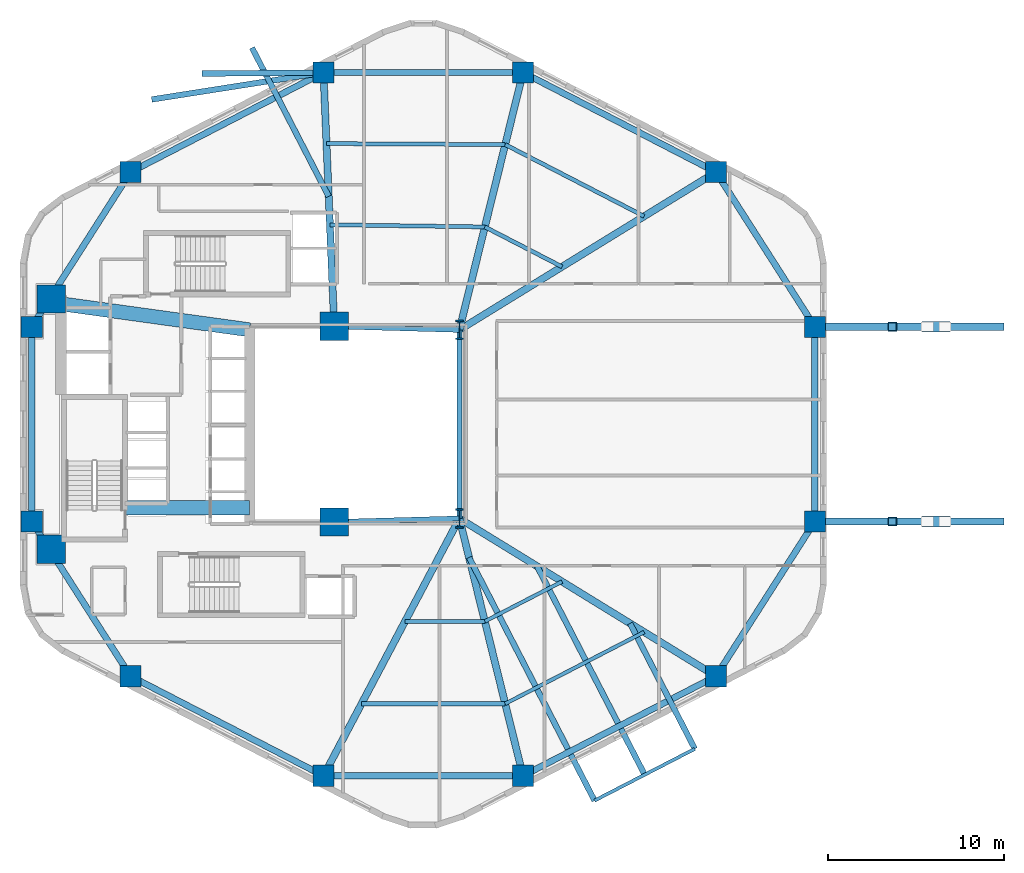
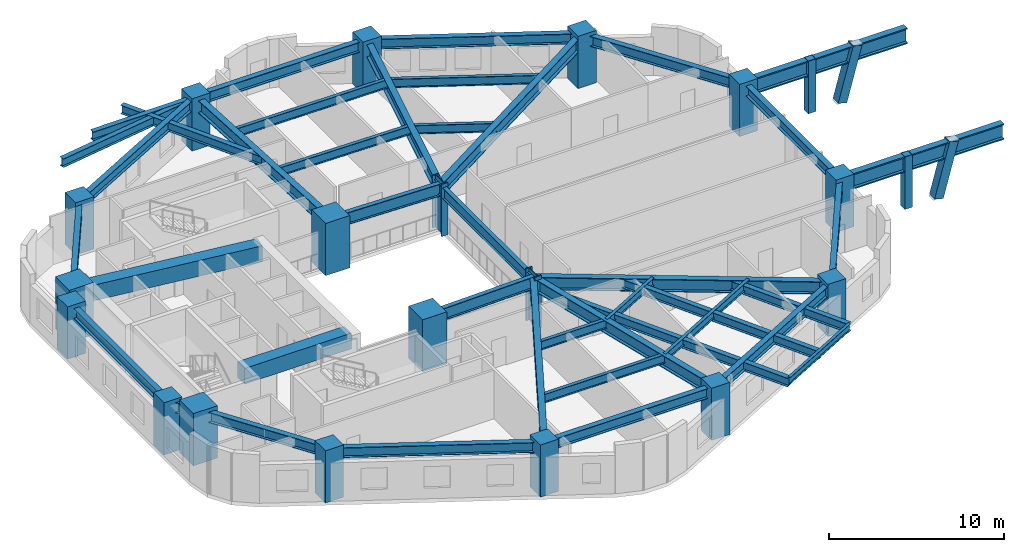
# One storey, part 1 of 7: 40 beams, 18 columns, 4 members.
"""IFC4 building model written with IfcOpenShell, lengths in metres."""

from ifc_helpers import new_model, si_unit, direction, frame, origin, origin_2d, place, context, subcontext, project, spatial, rectangle, hollow_rectangle, i_section, extrude, material, material_profile, profile_set, type_object, element, save


model = new_model("IFC4")

# Units and contexts
model_context = context("Model", 3, precision=1e-05, world=origin(), true_north=direction((0.0, 1.0)))
body_context = subcontext(model_context, "Body", "Model", "MODEL_VIEW")
ifc_project = project(units=[si_unit("LENGTHUNIT", "METRE"), si_unit("AREAUNIT", "SQUARE_METRE"), si_unit("VOLUMEUNIT", "CUBIC_METRE"), si_unit("PLANEANGLEUNIT", "RADIAN"), si_unit("MASSUNIT", "GRAM", prefix="KILO"), si_unit("THERMODYNAMICTEMPERATUREUNIT", "KELVIN"), si_unit("POWERUNIT", "WATT")], contexts=[model_context])

# Site, building, storey
site_placement = place(None, origin())
site = spatial("IfcSite", under=ifc_project, at=site_placement, CompositionType="ELEMENT")
building_placement = place(site_placement, origin())
building = spatial("IfcBuilding", under=site, at=building_placement, Name="Skarre Station Tower", CompositionType="ELEMENT")
storey_placement = place(building_placement, frame((0.0, 0.0, 41.60009765625)))
storey = spatial("IfcBuildingStorey", under=building, at=storey_placement, Name="L10", CompositionType="ELEMENT", Elevation=41.60009765625)

# Columns
ifc_material_1 = material(Name="Concrete C60/75", Category="concrete")
ifc_material_profile_1 = material_profile(ifc_material_1, rectangle(XDim=1.199951171875, YDim=1.199951171875, at=origin_2d()), Name="Concrete C60/75")
ifc_profile_set_1 = profile_set([ifc_material_profile_1], Name="Concrete C60/75")
column_type_1 = type_object("IfcColumnType", Name="RC Structural Column RC-COL-1200X1200", PredefinedType="COLUMN", material=ifc_profile_set_1)
for number, where, z_axis, x_axis, name in (
    (1, (54.007080078125, 38.298095703125, 0.0), (0.0, 0.0, 1.0), (1.0, 0.0, 0.0), "L10 Zone 1 Perimeter Column F0C1"),
    (2, (43.06005859375, 43.947021484375, 0.0), (0.0, 0.0, 1.0), (1.0, 0.0, 0.0), "L10 Zone 1 Perimeter Column F0C2"),
    (3, (31.739990234375, 43.947021484375, 0.0), (0.0, 0.0, 1.0), (1.0, 0.0, 0.0), "L10 Zone 1 Perimeter Column F1C1"),
    (4, (20.79296875, 38.298095703125, 0.0), (0.0, 0.0, 1.0), (1.0, 0.0, 0.0), "L10 Zone 1 Perimeter Column F1C2"),
    (5, (15.18701171875, 29.52099609375, 0.0), (0.0, 0.0, 1.0), (1.0, 0.0, 0.0), "L10 Zone 1 Perimeter Column F2C1"),
    (6, (15.18701171875, 18.47900390625, 0.0), (0.0, 0.0, 1.0), (1.0, 0.0, 0.0), "L10 Zone 1 Perimeter Column F2C2"),
    (7, (20.79296875, 9.701904296875, 0.0), (0.0, 0.0, 1.0), (1.0, 0.0, 0.0), "L10 Zone 1 Perimeter Column F3C1"),
    (8, (31.739990234375, 4.052978515625, 0.0), (0.0, 0.0, 1.0), (1.0, 0.0, 0.0), "L10 Zone 1 Perimeter Column F3C2"),
    (9, (43.06005859375, 4.052978515625, 0.0), (0.0, 0.0, 1.0), (1.0, 0.0, 0.0), "L10 Zone 1 Perimeter Column F4C1"),
    (10, (54.007080078125, 9.701904296875, 0.0), (0.0, 0.0, 1.0), (1.0, 0.0, 0.0), "L10 Zone 1 Perimeter Column F4C2"),
    (11, (59.613037109375, 18.47900390625, 0.0), (0.0, 0.0, 1.0), (1.0, 0.0, 0.0), "L10 Zone 1 Perimeter Column F5C1"),
    (12, (59.613037109375, 29.52099609375, 0.0), (0.0, 0.0, 1.0), (1.0, 0.0, 0.0), "L10 Zone 1 Perimeter Column F5C2"),
):
    element("IfcColumn", number, at=place(storey_placement, frame(where, z_axis=z_axis, x_axis=x_axis)), inside=storey, type_object=column_type_1, Name=name, PredefinedType="COLUMN", context=body_context, shape_type="SweptSolid", body=[
        extrude(rectangle(XDim=1.199951171875, YDim=1.199951171875, at=origin_2d()), origin(), (0.0, 0.0, 1.0), 3.64990234375),
    ])
ifc_material_2 = material(Name="Concrete C70/85", Category="concrete")
ifc_material_profile_2 = material_profile(ifc_material_2, rectangle(XDim=1.60009765625, YDim=1.60009765625, at=origin_2d()), Name="Concrete C70/85")
ifc_profile_set_2 = profile_set([ifc_material_profile_2], Name="Concrete C70/85")
column_type_2 = type_object("IfcColumnType", Name="RC Structural Column RC-COL-1600X1600", PredefinedType="COLUMN", material=ifc_profile_set_2)
for number, where, z_axis, x_axis, name in (
    (13, (16.300048828125, 16.89990234375, 0.0), (0.0, 0.0, 1.0), (1.0, 0.0, 0.0), "L10 Core Column CC-SW"),
    (14, (16.300048828125, 31.10009765625, 0.0), (0.0, 0.0, 1.0), (1.0, 0.0, 0.0), "L10 Core Column CC-NW"),
    (15, (32.35009765625, 18.449951171875, 0.0), (0.0, 0.0, 1.0), (1.0, 0.0, 0.0), "L10 Core Column CC-SE"),
    (16, (32.35009765625, 29.550048828125, 0.0), (0.0, 0.0, 1.0), (1.0, 0.0, 0.0), "L10 Core Column CC-NE"),
):
    element("IfcColumn", number, at=place(storey_placement, frame(where, z_axis=z_axis, x_axis=x_axis)), inside=storey, type_object=column_type_2, Name=name, PredefinedType="COLUMN", context=body_context, shape_type="SweptSolid", body=[
        extrude(rectangle(XDim=1.60009765625, YDim=1.60009765625, at=origin_2d()), origin(), (0.0, 0.0, 1.0), 3.64990234375),
    ])
ifc_material_3 = material(Name="Steel ASTM A913 Grade 65", Category="steel")
ifc_material_profile_3 = material_profile(ifc_material_3, i_section(OverallWidth=0.424072265625, OverallDepth=1.092041015625, WebThickness=0.044921875, FlangeThickness=0.08203125, at=origin_2d()), Name="Steel ASTM A913 Grade 65")
ifc_profile_set_3 = profile_set([ifc_material_profile_3], Name="Steel ASTM A913 Grade 65")
column_type_3 = type_object("IfcColumnType", Name="Steel Column W40X593", PredefinedType="COLUMN", material=ifc_profile_set_3)
for number, where, z_axis, x_axis, name in (
    (17, (39.449951171875, 18.64990234375, 0.0), (0.0, 0.0, 1.0), (1.0, 0.0, 0.0), "L10 Atrium Spine Column AC-SE"),
    (18, (39.449951171875, 29.35009765625, 0.0), (0.0, 0.0, 1.0), (1.0, 0.0, 0.0), "L10 Atrium Spine Column AC-NE"),
):
    element("IfcColumn", number, at=place(storey_placement, frame(where, z_axis=z_axis, x_axis=x_axis)), inside=storey, type_object=column_type_3, Name=name, PredefinedType="COLUMN", context=body_context, shape_type="SweptSolid", body=[
        extrude(i_section(OverallWidth=0.424072265625, OverallDepth=1.092041015625, WebThickness=0.044921875, FlangeThickness=0.08203125, at=origin_2d()), origin(), (0.0, 0.0, 1.0), 3.64990234375),
    ])

# Beams
ifc_material_profile_4 = material_profile(ifc_material_2, rectangle(XDim=0.800048828125, YDim=1.10009765625, at=origin_2d()), Name="Concrete C70/85")
ifc_profile_set_4 = profile_set([ifc_material_profile_4], Name="Concrete C70/85")
beam_type_1 = type_object("IfcBeamType", Name="RC Core Coupling Lintel 800x1100", PredefinedType="LINTEL", material=ifc_profile_set_4)
beam_1_placement = place(storey_placement, frame((20.489990234375, 19.260009765625, 2.83984375), z_axis=(1.0, 0.0, 0.0), x_axis=(0.0, 1.0, 0.0)))
element("IfcBeam", 19, at=beam_1_placement, inside=storey, type_object=beam_type_1, Name="L10 South Core Coupling Lintel", PredefinedType="LINTEL", context=body_context, shape_type="SweptSolid", body=[
    extrude(rectangle(XDim=0.800048828125, YDim=1.10009765625, at=origin_2d()), origin(), (0.0, 0.0, 1.0), 7.06005859375),
])
beam_2_placement = place(storey_placement, frame((17.050048828125, 30.800048828125, 2.83984375), z_axis=(0.990599723633, -0.136792498109, 0.0), x_axis=(0.136792498109, 0.990599723633, 0.0)))
element("IfcBeam", 20, at=beam_2_placement, inside=storey, type_object=beam_type_1, Name="L10 North Core Coupling Lintel", PredefinedType="LINTEL", context=body_context, shape_type="SweptSolid", body=[
    extrude(rectangle(XDim=0.800048828125, YDim=1.10009765625, at=origin_2d()), origin(), (0.0, 0.0, 1.0), 10.599609375),
])
ifc_material_4 = material(Name="Steel ASTM A992 Grade 50", Category="steel")
ifc_material_profile_5 = material_profile(ifc_material_4, i_section(OverallWidth=0.323974609375, OverallDepth=0.611083984375, WebThickness=0.012939453125, FlangeThickness=0.01904296875, at=origin_2d()), Name="Steel ASTM A992 Grade 50")
ifc_profile_set_5 = profile_set([ifc_material_profile_5], Name="Steel ASTM A992 Grade 50")
beam_type_2 = type_object("IfcBeamType", Name="Steel Beam W24X104", PredefinedType="BEAM", material=ifc_profile_set_5)
beam_3_placement = place(storey_placement, frame((31.739990234375, 43.947021484375, 2.9990234375), z_axis=(-0.999960878207, -0.008845453951, 0.0), x_axis=(0.008845453951, -0.999960878207, 0.0)))
element("IfcBeam", 21, at=beam_3_placement, inside=storey, type_object=beam_type_2, Name="L10 TB-L11-F1 Center Outrigger Beam", PredefinedType="BEAM", context=body_context, shape_type="SweptSolid", body=[
    extrude(i_section(OverallWidth=0.323974609375, OverallDepth=0.611083984375, WebThickness=0.012939453125, FlangeThickness=0.01904296875, at=origin_2d()), origin(), (0.0, 0.0, 1.0), 6.900146484375),
])
beam_4_placement = place(storey_placement, frame((32.0380859375, 36.91796875, 2.9990234375), z_axis=(-0.458678296676, 0.888602397115, 0.0), x_axis=(-0.888602397115, -0.458678296676, 0.0)))
element("IfcBeam", 22, at=beam_4_placement, inside=storey, type_object=beam_type_2, Name="L10 TB-L11-F1 Outrigger Beam 1", PredefinedType="BEAM", context=body_context, shape_type="SweptSolid", body=[
    extrude(i_section(OverallWidth=0.323974609375, OverallDepth=0.611083984375, WebThickness=0.012939453125, FlangeThickness=0.01904296875, at=origin_2d()), origin(), (0.0, 0.0, 1.0), 9.492431640625),
])
beam_5_placement = place(storey_placement, frame((31.739990234375, 43.947021484375, 2.9990234375), z_axis=(-0.987910236497, -0.155026980311, 0.0), x_axis=(0.155026980311, -0.987910236497, 0.0)))
element("IfcBeam", 23, at=beam_5_placement, inside=storey, type_object=beam_type_2, Name="L10 TB-L11-F1 Outrigger Beam 2", PredefinedType="BEAM", context=body_context, shape_type="SweptSolid", body=[
    extrude(i_section(OverallWidth=0.323974609375, OverallDepth=0.611083984375, WebThickness=0.012939453125, FlangeThickness=0.01904296875, at=origin_2d()), origin(), (0.0, 0.0, 1.0), 9.863037109375),
])
beam_6_placement = place(storey_placement, frame((43.85595703125, 15.94189453125, 2.9990234375), z_axis=(0.458630770941, -0.888626927313, 0.0), x_axis=(0.888626927313, 0.458630770941, 0.0)))
element("IfcBeam", 24, at=beam_6_placement, inside=storey, type_object=beam_type_2, Name="L10 TB-L11-F4 Center Outrigger Beam", PredefinedType="BEAM", context=body_context, shape_type="SweptSolid", body=[
    extrude(i_section(OverallWidth=0.323974609375, OverallDepth=0.611083984375, WebThickness=0.012939453125, FlangeThickness=0.01904296875, at=origin_2d()), origin(), (0.0, 0.0, 1.0), 13.30908203125),
])
beam_7_placement = place(storey_placement, frame((39.99609375, 16.44189453125, 2.9990234375), z_axis=(0.45863851318, -0.88862293141, 0.0), x_axis=(0.88862293141, 0.45863851318, 0.0)))
element("IfcBeam", 25, at=beam_7_placement, inside=storey, type_object=beam_type_2, Name="L10 TB-L11-F4 Outrigger Beam 1", PredefinedType="BEAM", context=body_context, shape_type="SweptSolid", body=[
    extrude(i_section(OverallWidth=0.323974609375, OverallDepth=0.611083984375, WebThickness=0.012939453125, FlangeThickness=0.01904296875, at=origin_2d()), origin(), (0.0, 0.0, 1.0), 15.52392578125),
])
beam_8_placement = place(storey_placement, frame((49.1298828125, 12.699951171875, 2.9990234375), z_axis=(0.458673197801, -0.888605029031, 0.0), x_axis=(0.888605029031, 0.458673197801, 0.0)))
element("IfcBeam", 26, at=beam_8_placement, inside=storey, type_object=beam_type_2, Name="L10 TB-L11-F4 Outrigger Beam 2", PredefinedType="BEAM", context=body_context, shape_type="SweptSolid", body=[
    extrude(i_section(OverallWidth=0.323974609375, OverallDepth=0.611083984375, WebThickness=0.012939453125, FlangeThickness=0.01904296875, at=origin_2d()), origin(), (0.0, 0.0, 1.0), 8.01025390625),
])
ifc_material_profile_6 = material_profile(ifc_material_4, i_section(OverallWidth=0.26806640625, OverallDepth=0.77001953125, WebThickness=0.01611328125, FlangeThickness=0.02490234375, at=origin_2d()), Name="Steel ASTM A992 Grade 50")
ifc_profile_set_6 = profile_set([ifc_material_profile_6], Name="Steel ASTM A992 Grade 50")
beam_type_3 = type_object("IfcBeamType", Name="Steel Beam W30X132", PredefinedType="BEAM", material=ifc_profile_set_6)
beam_9_placement = place(storey_placement, frame((39.449951171875, 18.64990234375, 3.0048828125), z_axis=(0.0, 1.0, 0.0), x_axis=(-1.0, 0.0, 0.0)))
element("IfcBeam", 27, at=beam_9_placement, inside=storey, type_object=beam_type_3, Name="L10 Atrium East Edge Girder", PredefinedType="BEAM", context=body_context, shape_type="SweptSolid", body=[
    extrude(i_section(OverallWidth=0.26806640625, OverallDepth=0.77001953125, WebThickness=0.01611328125, FlangeThickness=0.02490234375, at=origin_2d()), origin(), (0.0, 0.0, 1.0), 10.7001953125),
])
ifc_material_profile_7 = material_profile(ifc_material_4, i_section(OverallWidth=0.2919921875, OverallDepth=0.85888671875, WebThickness=0.01708984375, FlangeThickness=0.031005859375, at=origin_2d()), Name="Steel ASTM A992 Grade 50")
ifc_profile_set_7 = profile_set([ifc_material_profile_7], Name="Steel ASTM A992 Grade 50")
beam_type_4 = type_object("IfcBeamType", Name="Steel Beam W33X169", PredefinedType="BEAM", material=ifc_profile_set_7)
for number, where, z_axis, x_axis, name in (
    (28, (32.35009765625, 18.449951171875, 2.9609375), (0.999603666405, 0.028151556095, 0.0), (-0.028151556095, 0.999603666405, 0.0), "L10 Atrium South Edge Girder"),
    (29, (32.35009765625, 29.550048828125, 2.9609375), (0.999603666405, -0.028151556095, 0.0), (0.028151556095, 0.999603666405, 0.0), "L10 Atrium North Edge Girder"),
):
    element("IfcBeam", number, at=place(storey_placement, frame(where, z_axis=z_axis, x_axis=x_axis)), inside=storey, type_object=beam_type_4, Name=name, PredefinedType="BEAM", context=body_context, shape_type="SweptSolid", body=[
        extrude(i_section(OverallWidth=0.2919921875, OverallDepth=0.85888671875, WebThickness=0.01708984375, FlangeThickness=0.031005859375, at=origin_2d()), origin(), (0.0, 0.0, 1.0), 7.102783203125),
    ])
ifc_material_profile_8 = material_profile(ifc_material_4, i_section(OverallWidth=0.40087890625, OverallDepth=0.876953125, WebThickness=0.02197265625, FlangeThickness=0.0400390625, at=origin_2d()), Name="Steel ASTM A992 Grade 50")
ifc_profile_set_8 = profile_set([ifc_material_profile_8], Name="Steel ASTM A992 Grade 50")
beam_type_5 = type_object("IfcBeamType", Name="Steel Beam W33X263", PredefinedType="BEAM", material=ifc_profile_set_8)
beam_10_placement = place(storey_placement, frame((39.449951171875, 29.35009765625, 2.951904296875), z_axis=(0.851925565957, 0.523662897358, 0.0), x_axis=(-0.523662897358, 0.851925565957, 0.0)))
element("IfcBeam", 30, at=beam_10_placement, inside=storey, type_object=beam_type_5, Name="L10 Radial Floor Girder F0C1", PredefinedType="BEAM", context=body_context, shape_type="SweptSolid", body=[
    extrude(i_section(OverallWidth=0.40087890625, OverallDepth=0.876953125, WebThickness=0.02197265625, FlangeThickness=0.0400390625, at=origin_2d()), origin(), (0.0, 0.0, 1.0), 17.08740234375),
])
beam_11_placement = place(storey_placement, frame((39.449951171875, 29.35009765625, 2.951904296875), z_axis=(0.240086037639, 0.9707516132, 0.0), x_axis=(-0.9707516132, 0.240086037639, 0.0)))
element("IfcBeam", 31, at=beam_11_placement, inside=storey, type_object=beam_type_5, Name="L10 Radial Floor Girder F0C2", PredefinedType="BEAM", context=body_context, shape_type="SweptSolid", body=[
    extrude(i_section(OverallWidth=0.40087890625, OverallDepth=0.876953125, WebThickness=0.02197265625, FlangeThickness=0.0400390625, at=origin_2d()), origin(), (0.0, 0.0, 1.0), 15.03662109375),
])
beam_12_placement = place(storey_placement, frame((32.35009765625, 29.550048828125, 2.951904296875), z_axis=(-0.042339479433, 0.999103282189, 0.0), x_axis=(-0.999103282189, -0.042339479433, 0.0)))
element("IfcBeam", 32, at=beam_12_placement, inside=storey, type_object=beam_type_5, Name="L10 Radial Floor Girder F1C1", PredefinedType="BEAM", context=body_context, shape_type="SweptSolid", body=[
    extrude(i_section(OverallWidth=0.40087890625, OverallDepth=0.876953125, WebThickness=0.02197265625, FlangeThickness=0.0400390625, at=origin_2d()), origin(), (0.0, 0.0, 1.0), 14.409912109375),
])
beam_13_placement = place(storey_placement, frame((39.449951171875, 18.64990234375, 2.951904296875), z_axis=(-0.467044240884, -0.884233949279, 0.0), x_axis=(0.884233949279, -0.467044240884, 0.0)))
element("IfcBeam", 33, at=beam_13_placement, inside=storey, type_object=beam_type_5, Name="L10 Radial Floor Girder F3C2", PredefinedType="BEAM", context=body_context, shape_type="SweptSolid", body=[
    extrude(i_section(OverallWidth=0.40087890625, OverallDepth=0.876953125, WebThickness=0.02197265625, FlangeThickness=0.0400390625, at=origin_2d()), origin(), (0.0, 0.0, 1.0), 16.508056640625),
])
beam_14_placement = place(storey_placement, frame((39.449951171875, 18.64990234375, 2.951904296875), z_axis=(0.240086037639, -0.9707516132, 0.0), x_axis=(0.9707516132, 0.240086037639, 0.0)))
element("IfcBeam", 34, at=beam_14_placement, inside=storey, type_object=beam_type_5, Name="L10 Radial Floor Girder F4C1", PredefinedType="BEAM", context=body_context, shape_type="SweptSolid", body=[
    extrude(i_section(OverallWidth=0.40087890625, OverallDepth=0.876953125, WebThickness=0.02197265625, FlangeThickness=0.0400390625, at=origin_2d()), origin(), (0.0, 0.0, 1.0), 15.03662109375),
])
beam_15_placement = place(storey_placement, frame((39.449951171875, 18.64990234375, 2.951904296875), z_axis=(0.851925565957, -0.523662897358, 0.0), x_axis=(0.523662897358, 0.851925565957, 0.0)))
element("IfcBeam", 35, at=beam_15_placement, inside=storey, type_object=beam_type_5, Name="L10 Radial Floor Girder F4C2", PredefinedType="BEAM", context=body_context, shape_type="SweptSolid", body=[
    extrude(i_section(OverallWidth=0.40087890625, OverallDepth=0.876953125, WebThickness=0.02197265625, FlangeThickness=0.0400390625, at=origin_2d()), origin(), (0.0, 0.0, 1.0), 17.08740234375),
])
ifc_material_profile_9 = material_profile(ifc_material_4, i_section(OverallWidth=0.19091796875, OverallDepth=0.45703125, WebThickness=0.009033203125, FlangeThickness=0.013916015625, at=origin_2d()), Name="Steel ASTM A992 Grade 50")
ifc_profile_set_9 = profile_set([ifc_material_profile_9], Name="Steel ASTM A992 Grade 50")
beam_type_6 = type_object("IfcBeamType", Name="Steel Joist W18X50", PredefinedType="JOIST", material=ifc_profile_set_9)
beam_16_placement = place(storey_placement, frame((47.115966796875, 2.64697265625, 3.076904296875), z_axis=(0.888663779873, 0.458559359672, 0.0), x_axis=(-0.458559359672, 0.888663779873, 0.0)))
element("IfcBeam", 36, at=beam_16_placement, inside=storey, type_object=beam_type_6, Name="L10 TB-L11-F4 Rim Beam", PredefinedType="JOIST", context=body_context, shape_type="SweptSolid", body=[
    extrude(i_section(OverallWidth=0.19091796875, OverallDepth=0.45703125, WebThickness=0.009033203125, FlangeThickness=0.013916015625, at=origin_2d()), origin(), (0.0, 0.0, 1.0), 6.400634765625),
])
ifc_material_profile_10 = material_profile(ifc_material_4, i_section(OverallWidth=0.208984375, OverallDepth=0.532958984375, WebThickness=0.010009765625, FlangeThickness=0.01611328125, at=origin_2d()), Name="Steel ASTM A992 Grade 50")
ifc_profile_set_10 = profile_set([ifc_material_profile_10], Name="Steel ASTM A992 Grade 50")
beam_type_7 = type_object("IfcBeamType", Name="Steel Joist W21X62", PredefinedType="JOIST", material=ifc_profile_set_10)
beam_17_placement = place(storey_placement, frame((40.89404296875, 12.81103515625, 3.1240234375), z_axis=(0.888626519249, 0.458631561591, 0.0), x_axis=(-0.458631561591, 0.888626519249, 0.0)))
element("IfcBeam", 37, at=beam_17_placement, inside=storey, type_object=beam_type_7, Name="L10 Auxiliary Composite Joist 7", PredefinedType="JOIST", context=body_context, shape_type="SweptSolid", body=[
    extrude(i_section(OverallWidth=0.208984375, OverallDepth=0.532958984375, WebThickness=0.010009765625, FlangeThickness=0.01611328125, at=origin_2d()), origin(), (0.0, 0.0, 1.0), 4.927734375),
])
beam_18_placement = place(storey_placement, frame((42.049072265625, 8.139892578125, 3.1240234375), z_axis=(0.88866227096, 0.458562283853, 0.0), x_axis=(-0.458562283853, 0.88866227096, 0.0)))
element("IfcBeam", 38, at=beam_18_placement, inside=storey, type_object=beam_type_7, Name="L10 Auxiliary Composite Joist 8", PredefinedType="JOIST", context=body_context, shape_type="SweptSolid", body=[
    extrude(i_section(OverallWidth=0.208984375, OverallDepth=0.532958984375, WebThickness=0.010009765625, FlangeThickness=0.01611328125, at=origin_2d()), origin(), (0.0, 0.0, 1.0), 8.869384765625),
])
ifc_material_profile_11 = material_profile(ifc_material_4, i_section(OverallWidth=0.22802734375, OverallDepth=0.60791015625, WebThickness=0.010986328125, FlangeThickness=0.01708984375, at=origin_2d()), Name="Steel ASTM A992 Grade 50")
ifc_profile_set_11 = profile_set([ifc_material_profile_11], Name="Steel ASTM A992 Grade 50")
beam_type_8 = type_object("IfcBeamType", Name="Steel Joist W24X76", PredefinedType="JOIST", material=ifc_profile_set_11)
beam_19_placement = place(storey_placement, frame((45.27294921875, 32.928955078125, 3.0859375), z_axis=(-0.888626519249, 0.458631561591, 0.0), x_axis=(-0.458631561591, -0.888626519249, 0.0)))
element("IfcBeam", 39, at=beam_19_placement, inside=storey, type_object=beam_type_8, Name="L10 Secondary Floor Joist 1", PredefinedType="JOIST", context=body_context, shape_type="SweptSolid", body=[
    extrude(i_section(OverallWidth=0.22802734375, OverallDepth=0.60791015625, WebThickness=0.010986328125, FlangeThickness=0.01708984375, at=origin_2d()), origin(), (0.0, 0.0, 1.0), 4.927734375),
])
beam_20_placement = place(storey_placement, frame((49.930908203125, 35.79296875, 3.0859375), z_axis=(-0.88866227096, 0.458562283853, 0.0), x_axis=(-0.458562283853, -0.88866227096, 0.0)))
element("IfcBeam", 40, at=beam_20_placement, inside=storey, type_object=beam_type_8, Name="L10 Secondary Floor Joist 2", PredefinedType="JOIST", context=body_context, shape_type="SweptSolid", body=[
    extrude(i_section(OverallWidth=0.22802734375, OverallDepth=0.60791015625, WebThickness=0.010986328125, FlangeThickness=0.01708984375, at=origin_2d()), origin(), (0.0, 0.0, 1.0), 8.869384765625),
])
beam_21_placement = place(storey_placement, frame((40.89404296875, 35.18896484375, 3.0859375), z_axis=(-0.999906603441, 0.013666908792, 0.0), x_axis=(-0.013666908792, -0.999906603441, 0.0)))
element("IfcBeam", 41, at=beam_21_placement, inside=storey, type_object=beam_type_8, Name="L10 Secondary Floor Joist 3", PredefinedType="JOIST", context=body_context, shape_type="SweptSolid", body=[
    extrude(i_section(OverallWidth=0.22802734375, OverallDepth=0.60791015625, WebThickness=0.010986328125, FlangeThickness=0.01708984375, at=origin_2d()), origin(), (0.0, 0.0, 1.0), 8.788818359375),
])
beam_22_placement = place(storey_placement, frame((42.049072265625, 39.860107421875, 3.0859375), z_axis=(-0.999984794845, 0.005514533498, 0.0), x_axis=(-0.005514533498, -0.999984794845, 0.0)))
element("IfcBeam", 42, at=beam_22_placement, inside=storey, type_object=beam_type_8, Name="L10 Secondary Floor Joist 4", PredefinedType="JOIST", context=body_context, shape_type="SweptSolid", body=[
    extrude(i_section(OverallWidth=0.22802734375, OverallDepth=0.60791015625, WebThickness=0.010986328125, FlangeThickness=0.01708984375, at=origin_2d()), origin(), (0.0, 0.0, 1.0), 10.138427734375),
])
beam_23_placement = place(storey_placement, frame((36.365966796875, 12.81103515625, 3.0859375), z_axis=(1.0, 0.0, 0.0), x_axis=(0.0, 1.0, 0.0)))
element("IfcBeam", 43, at=beam_23_placement, inside=storey, type_object=beam_type_8, Name="L10 Secondary Floor Joist 5", PredefinedType="JOIST", context=body_context, shape_type="SweptSolid", body=[
    extrude(i_section(OverallWidth=0.22802734375, OverallDepth=0.60791015625, WebThickness=0.010986328125, FlangeThickness=0.01708984375, at=origin_2d()), origin(), (0.0, 0.0, 1.0), 4.528076171875),
])
beam_24_placement = place(storey_placement, frame((33.89892578125, 8.139892578125, 3.0859375), z_axis=(1.0, 0.0, 0.0), x_axis=(0.0, 1.0, 0.0)))
element("IfcBeam", 44, at=beam_24_placement, inside=storey, type_object=beam_type_8, Name="L10 Secondary Floor Joist 6", PredefinedType="JOIST", context=body_context, shape_type="SweptSolid", body=[
    extrude(i_section(OverallWidth=0.22802734375, OverallDepth=0.60791015625, WebThickness=0.010986328125, FlangeThickness=0.01708984375, at=origin_2d()), origin(), (0.0, 0.0, 1.0), 8.150146484375),
])
ifc_material_profile_12 = material_profile(ifc_material_4, i_section(OverallWidth=0.35791015625, OverallDepth=0.7060546875, WebThickness=0.01806640625, FlangeThickness=0.030029296875, at=origin_2d()), Name="Steel ASTM A992 Grade 50")
ifc_profile_set_12 = profile_set([ifc_material_profile_12], Name="Steel ASTM A992 Grade 50")
beam_type_9 = type_object("IfcBeamType", Name="Steel Spandrel W27X178", PredefinedType="SPANDREL", material=ifc_profile_set_12)
beam_25_placement = place(storey_placement, frame((54.007080078125, 38.298095703125, 3.036865234375), z_axis=(-0.888658695823, 0.458569212158, 0.0), x_axis=(-0.458569212158, -0.888658695823, 0.0)))
element("IfcBeam", 45, at=beam_25_placement, inside=storey, type_object=beam_type_9, Name="L10 Facet Spandrel Beam 1", PredefinedType="SPANDREL", context=body_context, shape_type="SweptSolid", body=[
    extrude(i_section(OverallWidth=0.35791015625, OverallDepth=0.7060546875, WebThickness=0.01806640625, FlangeThickness=0.030029296875, at=origin_2d()), origin(), (0.0, 0.0, 1.0), 12.318603515625),
])
beam_26_placement = place(storey_placement, frame((43.06005859375, 43.947021484375, 3.036865234375), z_axis=(-1.0, 0.0, 0.0), x_axis=(0.0, -1.0, 0.0)))
element("IfcBeam", 46, at=beam_26_placement, inside=storey, type_object=beam_type_9, Name="L10 Facet Spandrel Beam 2", PredefinedType="SPANDREL", context=body_context, shape_type="SweptSolid", body=[
    extrude(i_section(OverallWidth=0.35791015625, OverallDepth=0.7060546875, WebThickness=0.01806640625, FlangeThickness=0.030029296875, at=origin_2d()), origin(), (0.0, 0.0, 1.0), 11.320068359375),
])
beam_27_placement = place(storey_placement, frame((31.739990234375, 43.947021484375, 3.036865234375), z_axis=(-0.888658695823, -0.458569212158, 0.0), x_axis=(0.458569212158, -0.888658695823, 0.0)))
element("IfcBeam", 47, at=beam_27_placement, inside=storey, type_object=beam_type_9, Name="L10 Facet Spandrel Beam 3", PredefinedType="SPANDREL", context=body_context, shape_type="SweptSolid", body=[
    extrude(i_section(OverallWidth=0.35791015625, OverallDepth=0.7060546875, WebThickness=0.01806640625, FlangeThickness=0.030029296875, at=origin_2d()), origin(), (0.0, 0.0, 1.0), 12.318603515625),
])
beam_28_placement = place(storey_placement, frame((20.79296875, 38.298095703125, 3.036865234375), z_axis=(-0.538277829225, -0.842767452246, 0.0), x_axis=(0.842767452246, -0.538277829225, 0.0)))
element("IfcBeam", 48, at=beam_28_placement, inside=storey, type_object=beam_type_9, Name="L10 Facet Spandrel Beam 4", PredefinedType="SPANDREL", context=body_context, shape_type="SweptSolid", body=[
    extrude(i_section(OverallWidth=0.35791015625, OverallDepth=0.7060546875, WebThickness=0.01806640625, FlangeThickness=0.030029296875, at=origin_2d()), origin(), (0.0, 0.0, 1.0), 10.41455078125),
])
beam_29_placement = place(storey_placement, frame((15.18701171875, 29.52099609375, 3.036865234375), z_axis=(0.0, -1.0, 0.0), x_axis=(1.0, 0.0, 0.0)))
element("IfcBeam", 49, at=beam_29_placement, inside=storey, type_object=beam_type_9, Name="L10 Facet Spandrel Beam 5", PredefinedType="SPANDREL", context=body_context, shape_type="SweptSolid", body=[
    extrude(i_section(OverallWidth=0.35791015625, OverallDepth=0.7060546875, WebThickness=0.01806640625, FlangeThickness=0.030029296875, at=origin_2d()), origin(), (0.0, 0.0, 1.0), 11.0419921875),
])
beam_30_placement = place(storey_placement, frame((15.18701171875, 18.47900390625, 3.036865234375), z_axis=(0.538277829225, -0.842767452246, 0.0), x_axis=(0.842767452246, 0.538277829225, 0.0)))
element("IfcBeam", 50, at=beam_30_placement, inside=storey, type_object=beam_type_9, Name="L10 Facet Spandrel Beam 6", PredefinedType="SPANDREL", context=body_context, shape_type="SweptSolid", body=[
    extrude(i_section(OverallWidth=0.35791015625, OverallDepth=0.7060546875, WebThickness=0.01806640625, FlangeThickness=0.030029296875, at=origin_2d()), origin(), (0.0, 0.0, 1.0), 10.41455078125),
])
beam_31_placement = place(storey_placement, frame((20.79296875, 9.701904296875, 3.036865234375), z_axis=(0.888658695823, -0.458569212158, 0.0), x_axis=(0.458569212158, 0.888658695823, 0.0)))
element("IfcBeam", 51, at=beam_31_placement, inside=storey, type_object=beam_type_9, Name="L10 Facet Spandrel Beam 7", PredefinedType="SPANDREL", context=body_context, shape_type="SweptSolid", body=[
    extrude(i_section(OverallWidth=0.35791015625, OverallDepth=0.7060546875, WebThickness=0.01806640625, FlangeThickness=0.030029296875, at=origin_2d()), origin(), (0.0, 0.0, 1.0), 12.318603515625),
])
beam_32_placement = place(storey_placement, frame((31.739990234375, 4.052978515625, 3.036865234375), z_axis=(1.0, 0.0, 0.0), x_axis=(0.0, 1.0, 0.0)))
element("IfcBeam", 52, at=beam_32_placement, inside=storey, type_object=beam_type_9, Name="L10 Facet Spandrel Beam 8", PredefinedType="SPANDREL", context=body_context, shape_type="SweptSolid", body=[
    extrude(i_section(OverallWidth=0.35791015625, OverallDepth=0.7060546875, WebThickness=0.01806640625, FlangeThickness=0.030029296875, at=origin_2d()), origin(), (0.0, 0.0, 1.0), 11.320068359375),
])
beam_33_placement = place(storey_placement, frame((43.06005859375, 4.052978515625, 3.036865234375), z_axis=(0.888658695823, 0.458569212158, 0.0), x_axis=(-0.458569212158, 0.888658695823, 0.0)))
element("IfcBeam", 53, at=beam_33_placement, inside=storey, type_object=beam_type_9, Name="L10 Facet Spandrel Beam 9", PredefinedType="SPANDREL", context=body_context, shape_type="SweptSolid", body=[
    extrude(i_section(OverallWidth=0.35791015625, OverallDepth=0.7060546875, WebThickness=0.01806640625, FlangeThickness=0.030029296875, at=origin_2d()), origin(), (0.0, 0.0, 1.0), 12.318603515625),
])
beam_34_placement = place(storey_placement, frame((54.007080078125, 9.701904296875, 3.036865234375), z_axis=(0.538277829225, 0.842767452246, 0.0), x_axis=(-0.842767452246, 0.538277829225, 0.0)))
element("IfcBeam", 54, at=beam_34_placement, inside=storey, type_object=beam_type_9, Name="L10 Facet Spandrel Beam 10", PredefinedType="SPANDREL", context=body_context, shape_type="SweptSolid", body=[
    extrude(i_section(OverallWidth=0.35791015625, OverallDepth=0.7060546875, WebThickness=0.01806640625, FlangeThickness=0.030029296875, at=origin_2d()), origin(), (0.0, 0.0, 1.0), 10.41455078125),
])
beam_35_placement = place(storey_placement, frame((59.613037109375, 18.47900390625, 3.036865234375), z_axis=(0.0, 1.0, 0.0), x_axis=(-1.0, 0.0, 0.0)))
element("IfcBeam", 55, at=beam_35_placement, inside=storey, type_object=beam_type_9, Name="L10 Facet Spandrel Beam 11", PredefinedType="SPANDREL", context=body_context, shape_type="SweptSolid", body=[
    extrude(i_section(OverallWidth=0.35791015625, OverallDepth=0.7060546875, WebThickness=0.01806640625, FlangeThickness=0.030029296875, at=origin_2d()), origin(), (0.0, 0.0, 1.0), 11.0419921875),
])
beam_36_placement = place(storey_placement, frame((59.613037109375, 29.52099609375, 3.036865234375), z_axis=(-0.538277829225, 0.842767452246, 0.0), x_axis=(-0.842767452246, -0.538277829225, 0.0)))
element("IfcBeam", 56, at=beam_36_placement, inside=storey, type_object=beam_type_9, Name="L10 Facet Spandrel Beam 12", PredefinedType="SPANDREL", context=body_context, shape_type="SweptSolid", body=[
    extrude(i_section(OverallWidth=0.35791015625, OverallDepth=0.7060546875, WebThickness=0.01806640625, FlangeThickness=0.030029296875, at=origin_2d()), origin(), (0.0, 0.0, 1.0), 10.41455078125),
])
ifc_material_profile_13 = material_profile(ifc_material_3, i_section(OverallWidth=0.424072265625, OverallDepth=1.092041015625, WebThickness=0.044921875, FlangeThickness=0.08203125, at=origin_2d()), Name="Steel ASTM A913 Grade 65")
ifc_profile_set_13 = profile_set([ifc_material_profile_13], Name="Steel ASTM A913 Grade 65")
beam_type_10 = type_object("IfcBeamType", Name="Steel Transfer Girder W40X593", PredefinedType="USERDEFINED", material=ifc_profile_set_13)
for number, where, z_axis, x_axis, name in (
    (57, (59.613037109375, 18.47900390625, 2.843994140625), (1.0, 0.0, 0.0), (0.0, 1.0, 0.0), "L10 SB-1 Exoskeleton Tier-2 Transfer Girder S1"),
    (58, (59.613037109375, 29.52099609375, 2.843994140625), (1.0, 0.0, 0.0), (0.0, 1.0, 0.0), "L10 SB-1 Exoskeleton Tier-2 Transfer Girder S2"),
):
    element("IfcBeam", number, at=place(storey_placement, frame(where, z_axis=z_axis, x_axis=x_axis)), inside=storey, type_object=beam_type_10, Name=name, ObjectType="TRANSFER_GIRDER", PredefinedType="USERDEFINED", context=body_context, shape_type="SweptSolid", body=[
        extrude(i_section(OverallWidth=0.424072265625, OverallDepth=1.092041015625, WebThickness=0.044921875, FlangeThickness=0.08203125, at=origin_2d()), origin(), (0.0, 0.0, 1.0), 10.72998046875),
    ])

# Members
ifc_material_5 = material(Name="Steel ASTM A501 Grade B", Category="steel")
ifc_material_profile_14 = material_profile(ifc_material_5, hollow_rectangle(XDim=0.5, YDim=0.5, WallThickness=0.02490234375, at=origin_2d()), Name="Steel ASTM A501 Grade B")
ifc_profile_set_14 = profile_set([ifc_material_profile_14], Name="Steel ASTM A501 Grade B")
member_type_1 = type_object("IfcMemberType", Name="Steel Truss Strut HSS500X500X25", PredefinedType="STRUT", material=ifc_profile_set_14)
for number, where, z_axis, x_axis, name in (
    (59, (64.012939453125, 18.47900390625, -0.280029296875), (0.0, 0.0, 1.0), (1.0, 0.0, 0.0), "L10 SB-1 Exoskeleton Post Tier 2 S1"),
    (60, (64.012939453125, 29.52099609375, -0.280029296875), (0.0, 0.0, 1.0), (1.0, 0.0, 0.0), "L10 SB-1 Exoskeleton Post Tier 2 S2"),
):
    element("IfcMember", number, at=place(storey_placement, frame(where, z_axis=z_axis, x_axis=x_axis)), inside=storey, type_object=member_type_1, Name=name, PredefinedType="STRUT", context=body_context, shape_type="SweptSolid", body=[
        extrude(hollow_rectangle(XDim=0.5, YDim=0.5, WallThickness=0.02490234375, at=origin_2d()), origin(), (0.0, 0.0, 1.0), 3.669921875),
    ])
ifc_material_profile_15 = material_profile(ifc_material_5, hollow_rectangle(XDim=0.60009765625, YDim=0.60009765625, WallThickness=0.028076171875, at=origin_2d()), Name="Steel ASTM A501 Grade B")
ifc_profile_set_15 = profile_set([ifc_material_profile_15], Name="Steel ASTM A501 Grade B")
member_type_2 = type_object("IfcMemberType", Name="Steel Truss Strut HSS600X600X28", PredefinedType="STRUT", material=ifc_profile_set_15)
for number, where, z_axis, x_axis, name in (
    (61, (65.992919921875, 18.47900390625, -0.280029296875), (0.262900158906, 0.0, 0.964823044111), (0.0, 1.0, 0.0), "L10 SB-1 Exoskeleton Raking Strut Tier 2 S1"),
    (62, (65.992919921875, 29.52099609375, -0.280029296875), (0.262900158906, 0.0, 0.964823044111), (0.0, 1.0, 0.0), "L10 SB-1 Exoskeleton Raking Strut Tier 2 S2"),
):
    element("IfcMember", number, at=place(storey_placement, frame(where, z_axis=z_axis, x_axis=x_axis)), inside=storey, type_object=member_type_2, Name=name, PredefinedType="STRUT", context=body_context, shape_type="SweptSolid", body=[
        extrude(hollow_rectangle(XDim=0.60009765625, YDim=0.60009765625, WallThickness=0.028076171875, at=origin_2d()), origin(), (0.0, 0.0, 1.0), 3.8037109375),
    ])

save(model, "model.ifc")
